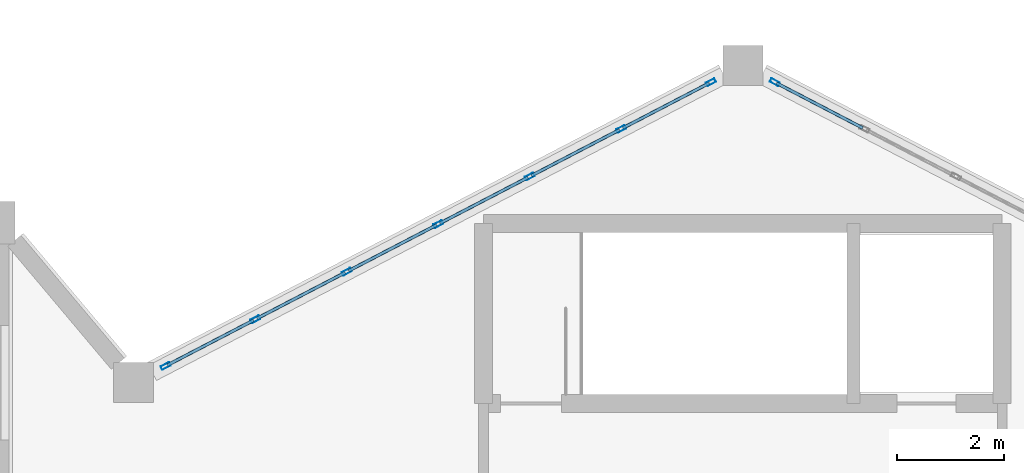
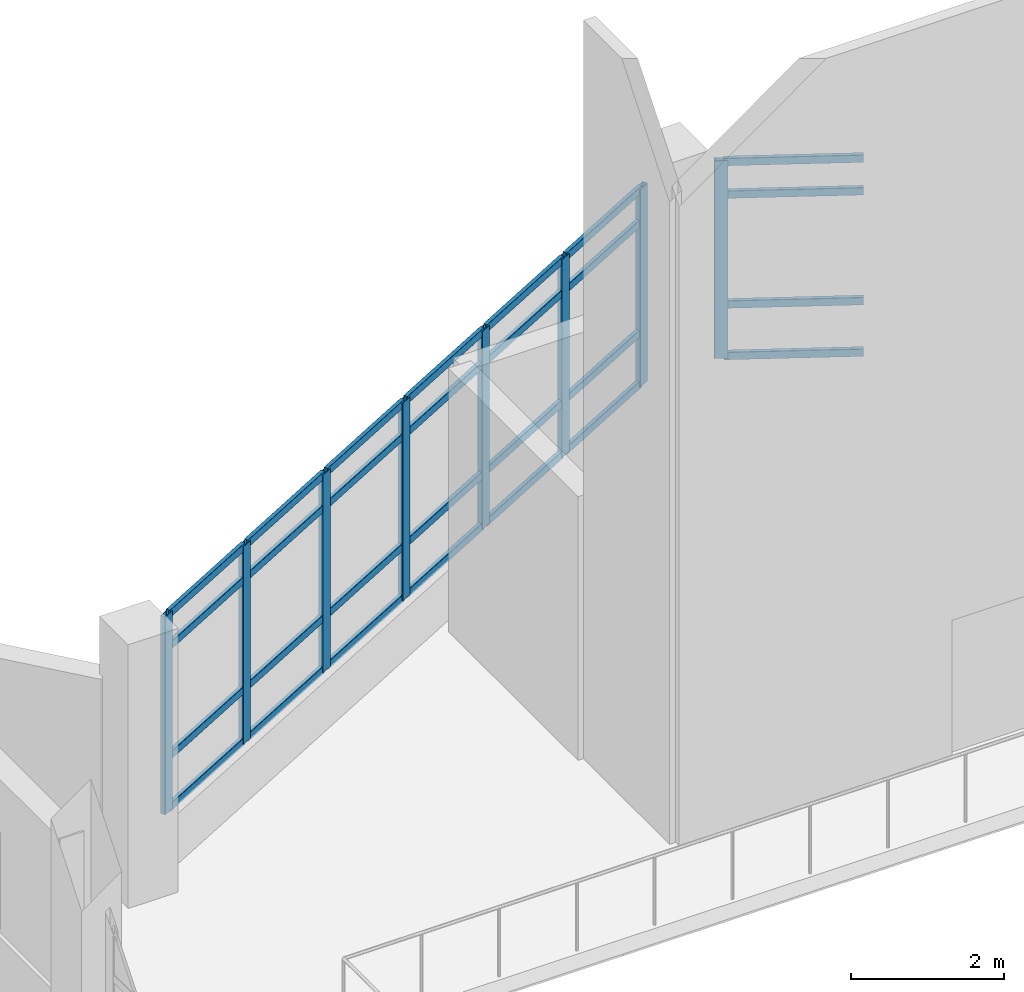
# One storey, part 25 of 128: 36 members, 2 elements without a shape of their own.
"""IFC4 building model written with IfcOpenShell, lengths in metres."""

from ifc_helpers import new_model, si_unit, direction, frame, origin, origin_2d, place, context, subcontext, project, spatial, hollow_rectangle, extrude, material, layer, layer_set, material_profile, profile_set, type_object, element, aggregate, save


model = new_model("IFC4")

# Units and contexts
model_context = context("Model", 3, precision=1e-05, world=origin(), true_north=direction((0.0, 1.0)))
body_context = subcontext(model_context, "Body", "Model", "MODEL_VIEW")
ifc_project = project(units=[si_unit("LENGTHUNIT", "METRE"), si_unit("AREAUNIT", "SQUARE_METRE"), si_unit("VOLUMEUNIT", "CUBIC_METRE"), si_unit("PLANEANGLEUNIT", "RADIAN"), si_unit("MASSUNIT", "GRAM", prefix="KILO")], contexts=[model_context])

# Site, building, storey
site_placement = place(None, origin())
site = spatial("IfcSite", under=ifc_project, at=site_placement, CompositionType="ELEMENT")
building_placement = place(site_placement, origin())
building = spatial("IfcBuilding", under=site, at=building_placement, Name="Vespera Passage Community Centre", CompositionType="ELEMENT")
storey_placement = place(building_placement, frame((0.0, 0.0, 4.5)))
storey = spatial("IfcBuildingStorey", under=building, at=storey_placement, Name="L01", CompositionType="ELEMENT", Elevation=4.5)

# Curtain wall, members
ifc_material_1 = material(Name="Anodized aluminium 6063-T6", Category="aluminium")
ifc_layer = layer(ifc_material_1, 0.159912109375)
ifc_layer_set = layer_set([ifc_layer], Name="Anodized aluminium 6063-T6")
curtain_wall_type = type_object("IfcCurtainWallType", Name="CW-85E", PredefinedType="NOTDEFINED", material=ifc_layer_set)
curtain_wall_1_placement = place(storey_placement, origin())
curtain_wall_1 = element("IfcCurtainWall", 1, at=curtain_wall_1_placement, inside=storey, type_object=curtain_wall_type, Name="V1 L01 N Apse Ribbon Curtain Wall 2", PredefinedType="NOTDEFINED")
ifc_material_2 = material(Name="Anodized aluminium 6063-T6", Category="aluminium")
ifc_material_profile_1 = material_profile(ifc_material_2, hollow_rectangle(XDim=0.074951171875, YDim=0.179931640625, WallThickness=0.0048828125, InnerFilletRadius=0.00244140625, OuterFilletRadius=0.0048828125, at=origin_2d()), Name="ALU180X75X5")
ifc_profile_set_1 = profile_set([ifc_material_profile_1], Name="Anodized aluminium 6063-T6")
member_type_1 = type_object("IfcMemberType", Name="MB-CWM-180E", PredefinedType="MULLION", material=ifc_profile_set_1)
member_1_placement = place(storey_placement, frame((7.171875, 46.313232421875, 0.800048828125), z_axis=(0.0, 0.0, 1.0), x_axis=(-0.46174493668, 0.887012747062, 0.0)))
member_1 = element("IfcMember", 2, at=member_1_placement, type_object=member_type_1, Name="CW-85E mullion 1", PredefinedType="MULLION", context=body_context, shape_type="SweptSolid", body=[
    extrude(hollow_rectangle(XDim=0.074951171875, YDim=0.179931640625, WallThickness=0.0048828125, InnerFilletRadius=0.00244140625, OuterFilletRadius=0.0048828125, at=origin_2d()), origin(), (0.0, 0.0, 1.0), 3.14990234375),
])
member_2_placement = place(storey_placement, frame((8.8544921875, 47.189208984375, 0.800048828125), z_axis=(0.0, 0.0, 1.0), x_axis=(-0.46174493668, 0.887012747062, 0.0)))
member_2 = element("IfcMember", 3, at=member_2_placement, type_object=member_type_1, Name="CW-85E mullion 2", PredefinedType="MULLION", context=body_context, shape_type="SweptSolid", body=[
    extrude(hollow_rectangle(XDim=0.074951171875, YDim=0.179931640625, WallThickness=0.0048828125, InnerFilletRadius=0.00244140625, OuterFilletRadius=0.0048828125, at=origin_2d()), origin(), (0.0, 0.0, 1.0), 3.14990234375),
])
member_3_placement = place(storey_placement, frame((10.5703125, 48.08251953125, 0.800048828125), z_axis=(0.0, 0.0, 1.0), x_axis=(-0.46174493668, 0.887012747062, 0.0)))
member_3 = element("IfcMember", 4, at=member_3_placement, type_object=member_type_1, Name="CW-85E mullion 3", PredefinedType="MULLION", context=body_context, shape_type="SweptSolid", body=[
    extrude(hollow_rectangle(XDim=0.074951171875, YDim=0.179931640625, WallThickness=0.0048828125, InnerFilletRadius=0.00244140625, OuterFilletRadius=0.0048828125, at=origin_2d()), origin(), (0.0, 0.0, 1.0), 3.14990234375),
])
member_4_placement = place(storey_placement, frame((12.286376953125, 48.9755859375, 0.800048828125), z_axis=(0.0, 0.0, 1.0), x_axis=(-0.46174493668, 0.887012747062, 0.0)))
member_4 = element("IfcMember", 5, at=member_4_placement, type_object=member_type_1, Name="CW-85E mullion 4", PredefinedType="MULLION", context=body_context, shape_type="SweptSolid", body=[
    extrude(hollow_rectangle(XDim=0.074951171875, YDim=0.179931640625, WallThickness=0.0048828125, InnerFilletRadius=0.00244140625, OuterFilletRadius=0.0048828125, at=origin_2d()), origin(), (0.0, 0.0, 1.0), 3.14990234375),
])
member_5_placement = place(storey_placement, frame((14.00244140625, 49.868896484375, 0.800048828125), z_axis=(0.0, 0.0, 1.0), x_axis=(-0.46174493668, 0.887012747062, 0.0)))
member_5 = element("IfcMember", 6, at=member_5_placement, type_object=member_type_1, Name="CW-85E mullion 5", PredefinedType="MULLION", context=body_context, shape_type="SweptSolid", body=[
    extrude(hollow_rectangle(XDim=0.074951171875, YDim=0.179931640625, WallThickness=0.0048828125, InnerFilletRadius=0.00244140625, OuterFilletRadius=0.0048828125, at=origin_2d()), origin(), (0.0, 0.0, 1.0), 3.14990234375),
])
member_6_placement = place(storey_placement, frame((15.71826171875, 50.76220703125, 0.800048828125), z_axis=(0.0, 0.0, 1.0), x_axis=(-0.46174493668, 0.887012747062, 0.0)))
member_6 = element("IfcMember", 7, at=member_6_placement, type_object=member_type_1, Name="CW-85E mullion 6", PredefinedType="MULLION", context=body_context, shape_type="SweptSolid", body=[
    extrude(hollow_rectangle(XDim=0.074951171875, YDim=0.179931640625, WallThickness=0.0048828125, InnerFilletRadius=0.00244140625, OuterFilletRadius=0.0048828125, at=origin_2d()), origin(), (0.0, 0.0, 1.0), 3.14990234375),
])
member_7_placement = place(storey_placement, frame((17.401123046875, 51.63818359375, 0.800048828125), z_axis=(0.0, 0.0, 1.0), x_axis=(-0.46174493668, 0.887012747062, 0.0)))
member_7 = element("IfcMember", 8, at=member_7_placement, type_object=member_type_1, Name="CW-85E mullion 7", PredefinedType="MULLION", context=body_context, shape_type="SweptSolid", body=[
    extrude(hollow_rectangle(XDim=0.074951171875, YDim=0.179931640625, WallThickness=0.0048828125, InnerFilletRadius=0.00244140625, OuterFilletRadius=0.0048828125, at=origin_2d()), origin(), (0.0, 0.0, 1.0), 3.14990234375),
])

# Curtain wall, member
curtain_wall_2_placement = place(storey_placement, origin())
curtain_wall_2 = element("IfcCurtainWall", 9, at=curtain_wall_2_placement, inside=storey, type_object=curtain_wall_type, Name="V1 L01 N Apse Ribbon Curtain Wall 3", PredefinedType="NOTDEFINED")
member_8_placement = place(storey_placement, frame((18.598876953125, 51.63818359375, 0.800048828125), z_axis=(0.0, 0.0, 1.0), x_axis=(0.46174493668, 0.887012747062, 0.0)))
member_8 = element("IfcMember", 10, at=member_8_placement, type_object=member_type_1, Name="CW-85E mullion 1", PredefinedType="MULLION", context=body_context, shape_type="SweptSolid", body=[
    extrude(hollow_rectangle(XDim=0.074951171875, YDim=0.179931640625, WallThickness=0.0048828125, InnerFilletRadius=0.00244140625, OuterFilletRadius=0.0048828125, at=origin_2d()), origin(), (0.0, 0.0, 1.0), 3.14990234375),
])

# Member
ifc_material_3 = material(Name="Anodized aluminium 6063-T6", Category="aluminium")
ifc_material_profile_2 = material_profile(ifc_material_3, hollow_rectangle(XDim=0.06005859375, YDim=0.1201171875, WallThickness=0.00390625, InnerFilletRadius=0.001953125, OuterFilletRadius=0.00390625, at=origin_2d()), Name="ALU120X60X4")
ifc_profile_set_2 = profile_set([ifc_material_profile_2], Name="Anodized aluminium 6063-T6")
member_type_2 = type_object("IfcMemberType", Name="MB-CWT-120E", PredefinedType="USERDEFINED", material=ifc_profile_set_2)
member_9_placement = place(storey_placement, frame((7.205078125, 46.33056640625, 0.830078125), z_axis=(0.887019277583, 0.461732391322, 0.0), x_axis=(-0.461732391322, 0.887019277583, 0.0)))
member_9 = element("IfcMember", 11, at=member_9_placement, type_object=member_type_2, Name="CW-85E transom 1.1", ObjectType="TRANSOM", PredefinedType="USERDEFINED", context=body_context, shape_type="SweptSolid", body=[
    extrude(hollow_rectangle(XDim=0.06005859375, YDim=0.1201171875, WallThickness=0.00390625, InnerFilletRadius=0.001953125, OuterFilletRadius=0.00390625, at=origin_2d()), origin(), (0.0, 0.0, 1.0), 1.822021484375),
])

member_10_placement = place(storey_placement, frame((7.205078125, 46.33056640625, 1.64990234375), z_axis=(0.887019277583, 0.461732391322, 0.0), x_axis=(-0.461732391322, 0.887019277583, 0.0)))
member_10 = element("IfcMember", 12, at=member_10_placement, type_object=member_type_2, Name="CW-85E transom 1.2", ObjectType="TRANSOM", PredefinedType="USERDEFINED", context=body_context, shape_type="SweptSolid", body=[
    extrude(hollow_rectangle(XDim=0.06005859375, YDim=0.1201171875, WallThickness=0.00390625, InnerFilletRadius=0.001953125, OuterFilletRadius=0.00390625, at=origin_2d()), origin(), (0.0, 0.0, 1.0), 1.822021484375),
])

member_11_placement = place(storey_placement, frame((7.205078125, 46.33056640625, 3.39990234375), z_axis=(0.887019277583, 0.461732391322, 0.0), x_axis=(-0.461732391322, 0.887019277583, 0.0)))
member_11 = element("IfcMember", 13, at=member_11_placement, type_object=member_type_2, Name="CW-85E transom 1.3", ObjectType="TRANSOM", PredefinedType="USERDEFINED", context=body_context, shape_type="SweptSolid", body=[
    extrude(hollow_rectangle(XDim=0.06005859375, YDim=0.1201171875, WallThickness=0.00390625, InnerFilletRadius=0.001953125, OuterFilletRadius=0.00390625, at=origin_2d()), origin(), (0.0, 0.0, 1.0), 1.822021484375),
])

member_12_placement = place(storey_placement, frame((7.205078125, 46.33056640625, 3.919921875), z_axis=(0.887019277583, 0.461732391322, 0.0), x_axis=(-0.461732391322, 0.887019277583, 0.0)))
member_12 = element("IfcMember", 14, at=member_12_placement, type_object=member_type_2, Name="CW-85E transom 1.4", ObjectType="TRANSOM", PredefinedType="USERDEFINED", context=body_context, shape_type="SweptSolid", body=[
    extrude(hollow_rectangle(XDim=0.06005859375, YDim=0.1201171875, WallThickness=0.00390625, InnerFilletRadius=0.001953125, OuterFilletRadius=0.00390625, at=origin_2d()), origin(), (0.0, 0.0, 1.0), 1.822021484375),
])

member_13_placement = place(storey_placement, frame((8.8876953125, 47.20654296875, 0.830078125), z_axis=(0.887008197889, 0.461753675544, 0.0), x_axis=(-0.461753675544, 0.887008197889, 0.0)))
member_13 = element("IfcMember", 15, at=member_13_placement, type_object=member_type_2, Name="CW-85E transom 2.1", ObjectType="TRANSOM", PredefinedType="USERDEFINED", context=body_context, shape_type="SweptSolid", body=[
    extrude(hollow_rectangle(XDim=0.06005859375, YDim=0.1201171875, WallThickness=0.00390625, InnerFilletRadius=0.001953125, OuterFilletRadius=0.00390625, at=origin_2d()), origin(), (0.0, 0.0, 1.0), 1.859619140625),
])

member_14_placement = place(storey_placement, frame((8.8876953125, 47.20654296875, 1.64990234375), z_axis=(0.887008197889, 0.461753675544, 0.0), x_axis=(-0.461753675544, 0.887008197889, 0.0)))
member_14 = element("IfcMember", 16, at=member_14_placement, type_object=member_type_2, Name="CW-85E transom 2.2", ObjectType="TRANSOM", PredefinedType="USERDEFINED", context=body_context, shape_type="SweptSolid", body=[
    extrude(hollow_rectangle(XDim=0.06005859375, YDim=0.1201171875, WallThickness=0.00390625, InnerFilletRadius=0.001953125, OuterFilletRadius=0.00390625, at=origin_2d()), origin(), (0.0, 0.0, 1.0), 1.859619140625),
])

member_15_placement = place(storey_placement, frame((8.8876953125, 47.20654296875, 3.39990234375), z_axis=(0.887008197889, 0.461753675544, 0.0), x_axis=(-0.461753675544, 0.887008197889, 0.0)))
member_15 = element("IfcMember", 17, at=member_15_placement, type_object=member_type_2, Name="CW-85E transom 2.3", ObjectType="TRANSOM", PredefinedType="USERDEFINED", context=body_context, shape_type="SweptSolid", body=[
    extrude(hollow_rectangle(XDim=0.06005859375, YDim=0.1201171875, WallThickness=0.00390625, InnerFilletRadius=0.001953125, OuterFilletRadius=0.00390625, at=origin_2d()), origin(), (0.0, 0.0, 1.0), 1.859619140625),
])

member_16_placement = place(storey_placement, frame((8.8876953125, 47.20654296875, 3.919921875), z_axis=(0.887008197889, 0.461753675544, 0.0), x_axis=(-0.461753675544, 0.887008197889, 0.0)))
member_16 = element("IfcMember", 18, at=member_16_placement, type_object=member_type_2, Name="CW-85E transom 2.4", ObjectType="TRANSOM", PredefinedType="USERDEFINED", context=body_context, shape_type="SweptSolid", body=[
    extrude(hollow_rectangle(XDim=0.06005859375, YDim=0.1201171875, WallThickness=0.00390625, InnerFilletRadius=0.001953125, OuterFilletRadius=0.00390625, at=origin_2d()), origin(), (0.0, 0.0, 1.0), 1.859619140625),
])

member_17_placement = place(storey_placement, frame((10.603759765625, 48.099853515625, 0.830078125), z_axis=(0.887008197889, 0.461753675544, 0.0), x_axis=(-0.461753675544, 0.887008197889, 0.0)))
member_17 = element("IfcMember", 19, at=member_17_placement, type_object=member_type_2, Name="CW-85E transom 3.1", ObjectType="TRANSOM", PredefinedType="USERDEFINED", context=body_context, shape_type="SweptSolid", body=[
    extrude(hollow_rectangle(XDim=0.06005859375, YDim=0.1201171875, WallThickness=0.00390625, InnerFilletRadius=0.001953125, OuterFilletRadius=0.00390625, at=origin_2d()), origin(), (0.0, 0.0, 1.0), 1.859619140625),
])

member_18_placement = place(storey_placement, frame((10.603759765625, 48.099853515625, 1.64990234375), z_axis=(0.887008197889, 0.461753675544, 0.0), x_axis=(-0.461753675544, 0.887008197889, 0.0)))
member_18 = element("IfcMember", 20, at=member_18_placement, type_object=member_type_2, Name="CW-85E transom 3.2", ObjectType="TRANSOM", PredefinedType="USERDEFINED", context=body_context, shape_type="SweptSolid", body=[
    extrude(hollow_rectangle(XDim=0.06005859375, YDim=0.1201171875, WallThickness=0.00390625, InnerFilletRadius=0.001953125, OuterFilletRadius=0.00390625, at=origin_2d()), origin(), (0.0, 0.0, 1.0), 1.859619140625),
])

member_19_placement = place(storey_placement, frame((10.603759765625, 48.099853515625, 3.39990234375), z_axis=(0.887008197889, 0.461753675544, 0.0), x_axis=(-0.461753675544, 0.887008197889, 0.0)))
member_19 = element("IfcMember", 21, at=member_19_placement, type_object=member_type_2, Name="CW-85E transom 3.3", ObjectType="TRANSOM", PredefinedType="USERDEFINED", context=body_context, shape_type="SweptSolid", body=[
    extrude(hollow_rectangle(XDim=0.06005859375, YDim=0.1201171875, WallThickness=0.00390625, InnerFilletRadius=0.001953125, OuterFilletRadius=0.00390625, at=origin_2d()), origin(), (0.0, 0.0, 1.0), 1.859619140625),
])

member_20_placement = place(storey_placement, frame((10.603759765625, 48.099853515625, 3.919921875), z_axis=(0.887008197889, 0.461753675544, 0.0), x_axis=(-0.461753675544, 0.887008197889, 0.0)))
member_20 = element("IfcMember", 22, at=member_20_placement, type_object=member_type_2, Name="CW-85E transom 3.4", ObjectType="TRANSOM", PredefinedType="USERDEFINED", context=body_context, shape_type="SweptSolid", body=[
    extrude(hollow_rectangle(XDim=0.06005859375, YDim=0.1201171875, WallThickness=0.00390625, InnerFilletRadius=0.001953125, OuterFilletRadius=0.00390625, at=origin_2d()), origin(), (0.0, 0.0, 1.0), 1.859619140625),
])

member_21_placement = place(storey_placement, frame((12.319580078125, 48.992919921875, 0.830078125), z_axis=(0.887008197889, 0.461753675544, 0.0), x_axis=(-0.461753675544, 0.887008197889, 0.0)))
member_21 = element("IfcMember", 23, at=member_21_placement, type_object=member_type_2, Name="CW-85E transom 4.1", ObjectType="TRANSOM", PredefinedType="USERDEFINED", context=body_context, shape_type="SweptSolid", body=[
    extrude(hollow_rectangle(XDim=0.06005859375, YDim=0.1201171875, WallThickness=0.00390625, InnerFilletRadius=0.001953125, OuterFilletRadius=0.00390625, at=origin_2d()), origin(), (0.0, 0.0, 1.0), 1.859619140625),
])

member_22_placement = place(storey_placement, frame((12.319580078125, 48.992919921875, 1.64990234375), z_axis=(0.887008197889, 0.461753675544, 0.0), x_axis=(-0.461753675544, 0.887008197889, 0.0)))
member_22 = element("IfcMember", 24, at=member_22_placement, type_object=member_type_2, Name="CW-85E transom 4.2", ObjectType="TRANSOM", PredefinedType="USERDEFINED", context=body_context, shape_type="SweptSolid", body=[
    extrude(hollow_rectangle(XDim=0.06005859375, YDim=0.1201171875, WallThickness=0.00390625, InnerFilletRadius=0.001953125, OuterFilletRadius=0.00390625, at=origin_2d()), origin(), (0.0, 0.0, 1.0), 1.859619140625),
])

member_23_placement = place(storey_placement, frame((12.319580078125, 48.992919921875, 3.39990234375), z_axis=(0.887008197889, 0.461753675544, 0.0), x_axis=(-0.461753675544, 0.887008197889, 0.0)))
member_23 = element("IfcMember", 25, at=member_23_placement, type_object=member_type_2, Name="CW-85E transom 4.3", ObjectType="TRANSOM", PredefinedType="USERDEFINED", context=body_context, shape_type="SweptSolid", body=[
    extrude(hollow_rectangle(XDim=0.06005859375, YDim=0.1201171875, WallThickness=0.00390625, InnerFilletRadius=0.001953125, OuterFilletRadius=0.00390625, at=origin_2d()), origin(), (0.0, 0.0, 1.0), 1.859619140625),
])

member_24_placement = place(storey_placement, frame((12.319580078125, 48.992919921875, 3.919921875), z_axis=(0.887008197889, 0.461753675544, 0.0), x_axis=(-0.461753675544, 0.887008197889, 0.0)))
member_24 = element("IfcMember", 26, at=member_24_placement, type_object=member_type_2, Name="CW-85E transom 4.4", ObjectType="TRANSOM", PredefinedType="USERDEFINED", context=body_context, shape_type="SweptSolid", body=[
    extrude(hollow_rectangle(XDim=0.06005859375, YDim=0.1201171875, WallThickness=0.00390625, InnerFilletRadius=0.001953125, OuterFilletRadius=0.00390625, at=origin_2d()), origin(), (0.0, 0.0, 1.0), 1.859619140625),
])

member_25_placement = place(storey_placement, frame((14.03564453125, 49.88623046875, 0.830078125), z_axis=(0.887008197889, 0.461753675544, 0.0), x_axis=(-0.461753675544, 0.887008197889, 0.0)))
member_25 = element("IfcMember", 27, at=member_25_placement, type_object=member_type_2, Name="CW-85E transom 5.1", ObjectType="TRANSOM", PredefinedType="USERDEFINED", context=body_context, shape_type="SweptSolid", body=[
    extrude(hollow_rectangle(XDim=0.06005859375, YDim=0.1201171875, WallThickness=0.00390625, InnerFilletRadius=0.001953125, OuterFilletRadius=0.00390625, at=origin_2d()), origin(), (0.0, 0.0, 1.0), 1.859619140625),
])

member_26_placement = place(storey_placement, frame((14.03564453125, 49.88623046875, 1.64990234375), z_axis=(0.887008197889, 0.461753675544, 0.0), x_axis=(-0.461753675544, 0.887008197889, 0.0)))
member_26 = element("IfcMember", 28, at=member_26_placement, type_object=member_type_2, Name="CW-85E transom 5.2", ObjectType="TRANSOM", PredefinedType="USERDEFINED", context=body_context, shape_type="SweptSolid", body=[
    extrude(hollow_rectangle(XDim=0.06005859375, YDim=0.1201171875, WallThickness=0.00390625, InnerFilletRadius=0.001953125, OuterFilletRadius=0.00390625, at=origin_2d()), origin(), (0.0, 0.0, 1.0), 1.859619140625),
])

member_27_placement = place(storey_placement, frame((14.03564453125, 49.88623046875, 3.39990234375), z_axis=(0.887008197889, 0.461753675544, 0.0), x_axis=(-0.461753675544, 0.887008197889, 0.0)))
member_27 = element("IfcMember", 29, at=member_27_placement, type_object=member_type_2, Name="CW-85E transom 5.3", ObjectType="TRANSOM", PredefinedType="USERDEFINED", context=body_context, shape_type="SweptSolid", body=[
    extrude(hollow_rectangle(XDim=0.06005859375, YDim=0.1201171875, WallThickness=0.00390625, InnerFilletRadius=0.001953125, OuterFilletRadius=0.00390625, at=origin_2d()), origin(), (0.0, 0.0, 1.0), 1.859619140625),
])

member_28_placement = place(storey_placement, frame((14.03564453125, 49.88623046875, 3.919921875), z_axis=(0.887008197889, 0.461753675544, 0.0), x_axis=(-0.461753675544, 0.887008197889, 0.0)))
member_28 = element("IfcMember", 30, at=member_28_placement, type_object=member_type_2, Name="CW-85E transom 5.4", ObjectType="TRANSOM", PredefinedType="USERDEFINED", context=body_context, shape_type="SweptSolid", body=[
    extrude(hollow_rectangle(XDim=0.06005859375, YDim=0.1201171875, WallThickness=0.00390625, InnerFilletRadius=0.001953125, OuterFilletRadius=0.00390625, at=origin_2d()), origin(), (0.0, 0.0, 1.0), 1.859619140625),
])

member_29_placement = place(storey_placement, frame((15.751708984375, 50.779541015625, 0.830078125), z_axis=(0.886990706074, 0.461787274986, 0.0), x_axis=(-0.461787274986, 0.886990706074, 0.0)))
member_29 = element("IfcMember", 31, at=member_29_placement, type_object=member_type_2, Name="CW-85E transom 6.1", ObjectType="TRANSOM", PredefinedType="USERDEFINED", context=body_context, shape_type="SweptSolid", body=[
    extrude(hollow_rectangle(XDim=0.06005859375, YDim=0.1201171875, WallThickness=0.00390625, InnerFilletRadius=0.001953125, OuterFilletRadius=0.00390625, at=origin_2d()), origin(), (0.0, 0.0, 1.0), 1.82177734375),
])

member_30_placement = place(storey_placement, frame((15.751708984375, 50.779541015625, 1.64990234375), z_axis=(0.886990706074, 0.461787274986, 0.0), x_axis=(-0.461787274986, 0.886990706074, 0.0)))
member_30 = element("IfcMember", 32, at=member_30_placement, type_object=member_type_2, Name="CW-85E transom 6.2", ObjectType="TRANSOM", PredefinedType="USERDEFINED", context=body_context, shape_type="SweptSolid", body=[
    extrude(hollow_rectangle(XDim=0.06005859375, YDim=0.1201171875, WallThickness=0.00390625, InnerFilletRadius=0.001953125, OuterFilletRadius=0.00390625, at=origin_2d()), origin(), (0.0, 0.0, 1.0), 1.82177734375),
])

member_31_placement = place(storey_placement, frame((15.751708984375, 50.779541015625, 3.39990234375), z_axis=(0.886990706074, 0.461787274986, 0.0), x_axis=(-0.461787274986, 0.886990706074, 0.0)))
member_31 = element("IfcMember", 33, at=member_31_placement, type_object=member_type_2, Name="CW-85E transom 6.3", ObjectType="TRANSOM", PredefinedType="USERDEFINED", context=body_context, shape_type="SweptSolid", body=[
    extrude(hollow_rectangle(XDim=0.06005859375, YDim=0.1201171875, WallThickness=0.00390625, InnerFilletRadius=0.001953125, OuterFilletRadius=0.00390625, at=origin_2d()), origin(), (0.0, 0.0, 1.0), 1.82177734375),
])

member_32_placement = place(storey_placement, frame((15.751708984375, 50.779541015625, 3.919921875), z_axis=(0.886990706074, 0.461787274986, 0.0), x_axis=(-0.461787274986, 0.886990706074, 0.0)))
member_32 = element("IfcMember", 34, at=member_32_placement, type_object=member_type_2, Name="CW-85E transom 6.4", ObjectType="TRANSOM", PredefinedType="USERDEFINED", context=body_context, shape_type="SweptSolid", body=[
    extrude(hollow_rectangle(XDim=0.06005859375, YDim=0.1201171875, WallThickness=0.00390625, InnerFilletRadius=0.001953125, OuterFilletRadius=0.00390625, at=origin_2d()), origin(), (0.0, 0.0, 1.0), 1.82177734375),
])

aggregate(curtain_wall_1, [member_1, member_2, member_3, member_4, member_5, member_6, member_7, member_9, member_10, member_11, member_12, member_13, member_14, member_15, member_16, member_17, member_18, member_19, member_20, member_21, member_22, member_23, member_24, member_25, member_26, member_27, member_28, member_29, member_30, member_31, member_32])

member_33_placement = place(storey_placement, frame((18.63232421875, 51.620849609375, 0.830078125), z_axis=(0.886990706074, -0.461787274986, 0.0), x_axis=(0.461787274986, 0.886990706074, 0.0)))
member_33 = element("IfcMember", 35, at=member_33_placement, type_object=member_type_2, Name="CW-85E transom 1.1", ObjectType="TRANSOM", PredefinedType="USERDEFINED", context=body_context, shape_type="SweptSolid", body=[
    extrude(hollow_rectangle(XDim=0.06005859375, YDim=0.1201171875, WallThickness=0.00390625, InnerFilletRadius=0.001953125, OuterFilletRadius=0.00390625, at=origin_2d()), origin(), (0.0, 0.0, 1.0), 1.82177734375),
])

member_34_placement = place(storey_placement, frame((18.63232421875, 51.620849609375, 1.64990234375), z_axis=(0.886990706074, -0.461787274986, 0.0), x_axis=(0.461787274986, 0.886990706074, 0.0)))
member_34 = element("IfcMember", 36, at=member_34_placement, type_object=member_type_2, Name="CW-85E transom 1.2", ObjectType="TRANSOM", PredefinedType="USERDEFINED", context=body_context, shape_type="SweptSolid", body=[
    extrude(hollow_rectangle(XDim=0.06005859375, YDim=0.1201171875, WallThickness=0.00390625, InnerFilletRadius=0.001953125, OuterFilletRadius=0.00390625, at=origin_2d()), origin(), (0.0, 0.0, 1.0), 1.82177734375),
])

member_35_placement = place(storey_placement, frame((18.63232421875, 51.620849609375, 3.39990234375), z_axis=(0.886990706074, -0.461787274986, 0.0), x_axis=(0.461787274986, 0.886990706074, 0.0)))
member_35 = element("IfcMember", 37, at=member_35_placement, type_object=member_type_2, Name="CW-85E transom 1.3", ObjectType="TRANSOM", PredefinedType="USERDEFINED", context=body_context, shape_type="SweptSolid", body=[
    extrude(hollow_rectangle(XDim=0.06005859375, YDim=0.1201171875, WallThickness=0.00390625, InnerFilletRadius=0.001953125, OuterFilletRadius=0.00390625, at=origin_2d()), origin(), (0.0, 0.0, 1.0), 1.82177734375),
])

member_36_placement = place(storey_placement, frame((18.63232421875, 51.620849609375, 3.919921875), z_axis=(0.886990706074, -0.461787274986, 0.0), x_axis=(0.461787274986, 0.886990706074, 0.0)))
member_36 = element("IfcMember", 38, at=member_36_placement, type_object=member_type_2, Name="CW-85E transom 1.4", ObjectType="TRANSOM", PredefinedType="USERDEFINED", context=body_context, shape_type="SweptSolid", body=[
    extrude(hollow_rectangle(XDim=0.06005859375, YDim=0.1201171875, WallThickness=0.00390625, InnerFilletRadius=0.001953125, OuterFilletRadius=0.00390625, at=origin_2d()), origin(), (0.0, 0.0, 1.0), 1.82177734375),
])

aggregate(curtain_wall_2, [member_8, member_33, member_34, member_35, member_36])

save(model, "model.ifc")
